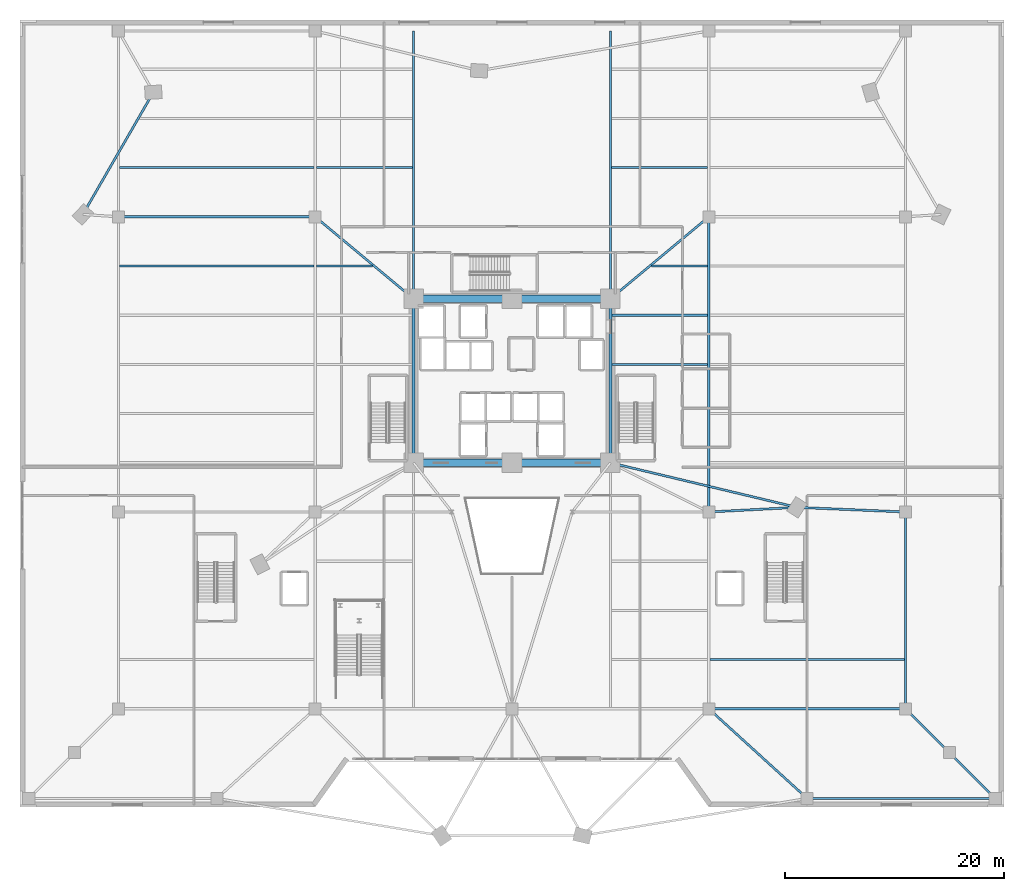
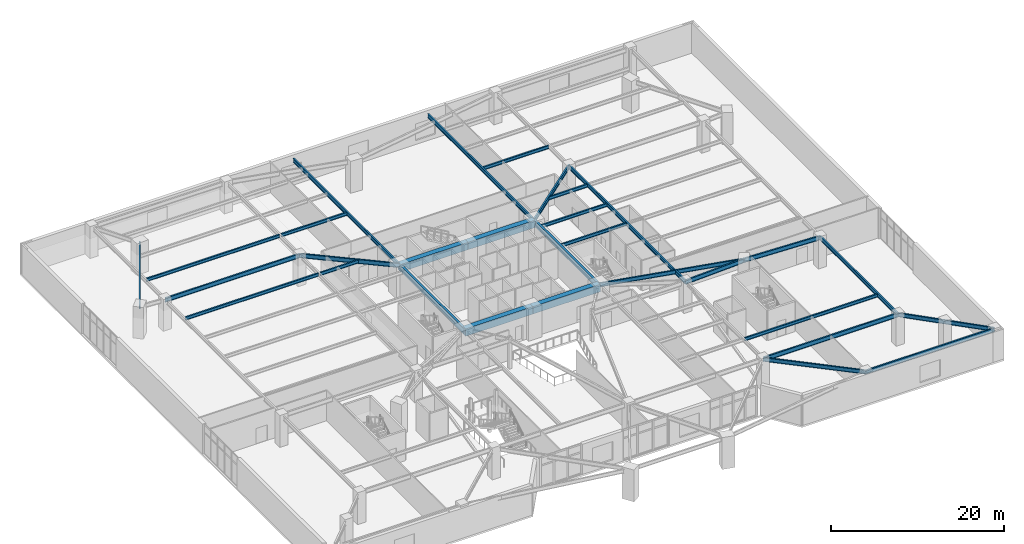
# One storey, part 15 of 29: 31 beams.
"""IFC4 building model written with IfcOpenShell, lengths in metres."""

from ifc_helpers import new_model, si_unit, direction, frame, origin, origin_2d, place, context, subcontext, project, spatial, rectangle, i_section, extrude, source, transform, mapped, material, material_profile, profile_set, type_object, element, save


model = new_model("IFC4")

# Units and contexts
model_context = context("Model", 3, precision=1e-05, world=origin(), true_north=direction((0.0, 1.0)))
body_context = subcontext(model_context, "Body", "Model", "MODEL_VIEW")
ifc_project = project(units=[si_unit("LENGTHUNIT", "METRE"), si_unit("AREAUNIT", "SQUARE_METRE"), si_unit("VOLUMEUNIT", "CUBIC_METRE"), si_unit("PLANEANGLEUNIT", "RADIAN"), si_unit("MASSUNIT", "GRAM", prefix="KILO")], contexts=[model_context])

# Site, building, storey
site_placement = place(None, origin())
site = spatial("IfcSite", under=ifc_project, at=site_placement, CompositionType="ELEMENT")
building_placement = place(site_placement, origin())
building = spatial("IfcBuilding", under=site, at=building_placement, Name="Liaohun Quay Tower", CompositionType="ELEMENT")
storey_placement = place(building_placement, frame((0.0, 0.0, 5.39990234375)))
storey = spatial("IfcBuildingStorey", under=building, at=storey_placement, Name="L02", CompositionType="ELEMENT", Elevation=5.39990234375)

# Beams
ifc_material_1 = material(Name="Concrete C60", Category="concrete")
ifc_material_profile_1 = material_profile(ifc_material_1, rectangle(XDim=0.699951171875, YDim=1.050048828125, at=origin_2d()), Name="RC700x1050")
ifc_profile_set_1 = profile_set([ifc_material_profile_1], Name="Concrete C60")
beam_type_1 = type_object("IfcBeamType", Name="BM-CPL-1", PredefinedType="LINTEL", material=ifc_profile_set_1)
shared_shape_1 = source(origin(), body_context, "Body", "SweptSolid", [
    extrude(rectangle(XDim=0.699951171875, YDim=1.050048828125, at=origin_2d()), origin(), (0.0, 0.0, 1.0), 9.0),
])
for number, where, z_axis, x_axis, name in (
    (1, (51.0, 46.5, 3.72509765625), (1.0, 0.0, 0.0), (0.0, 1.0, 0.0), "L02 Core Coupling/Ring Beam CC1-CC2"),
    (2, (60.0, 46.5, 3.72509765625), (1.0, 0.0, 0.0), (0.0, 1.0, 0.0), "L02 Core Coupling/Ring Beam CC2-CC3"),
    (3, (69.0, 61.5, 3.72509765625), (-1.0, 0.0, 0.0), (0.0, -1.0, 0.0), "L02 Core Coupling/Ring Beam CC4-CC5"),
    (4, (60.0, 61.5, 3.72509765625), (-1.0, 0.0, 0.0), (0.0, -1.0, 0.0), "L02 Core Coupling/Ring Beam CC5-CC6"),
):
    element("IfcBeam", number, at=place(storey_placement, frame(where, z_axis=z_axis, x_axis=x_axis)), inside=storey, type_object=beam_type_1, Name=name, PredefinedType="LINTEL", context=body_context, shape_type="MappedRepresentation", body=[
        mapped(shared_shape_1, transform((0.0, 0.0, 0.0), x_axis=(1.0, 0.0, 0.0), y_axis=(0.0, 1.0, 0.0), z_axis=(0.0, 0.0, 1.0), scale=1.0)),
    ])
ifc_material_2 = material(Name="Steel Q355D", Category="steel")
ifc_material_profile_2 = material_profile(ifc_material_2, i_section(OverallWidth=0.300048828125, OverallDepth=0.800048828125, WebThickness=0.013916015625, FlangeThickness=0.02587890625, at=origin_2d()), Name="HN800x300x14x26")
ifc_profile_set_2 = profile_set([ifc_material_profile_2], Name="Steel Q355D")
beam_type_2 = type_object("IfcBeamType", Name="BM-RAD-M1", PredefinedType="BEAM", material=ifc_profile_set_2)
shared_shape_2 = source(origin(), body_context, "Body", "SweptSolid", [
    extrude(i_section(OverallWidth=0.300048828125, OverallDepth=0.800048828125, WebThickness=0.013916015625, FlangeThickness=0.02587890625, at=origin_2d()), origin(), (0.0, 0.0, 1.0), 15.0),
])
for number, where, z_axis, x_axis, name in (
    (5, (69.0, 46.5, 3.85009765625), (0.0, 1.0, 0.0), (-1.0, 0.0, 0.0), "L02 Core Coupling/Ring Beam CC3-CC4"),
    (6, (51.0, 61.5, 3.85009765625), (0.0, -1.0, 0.0), (1.0, 0.0, 0.0), "L02 Core Coupling/Ring Beam CC6-CC1"),
):
    element("IfcBeam", number, at=place(storey_placement, frame(where, z_axis=z_axis, x_axis=x_axis)), inside=storey, type_object=beam_type_2, Name=name, PredefinedType="BEAM", context=body_context, shape_type="MappedRepresentation", body=[
        mapped(shared_shape_2, transform((0.0, 0.0, 0.0), x_axis=(1.0, 0.0, 0.0), y_axis=(0.0, 1.0, 0.0), z_axis=(0.0, 0.0, 1.0), scale=1.0)),
    ])
ifc_material_profile_3 = material_profile(ifc_material_2, i_section(OverallWidth=0.199951171875, OverallDepth=0.449951171875, WebThickness=0.009033203125, FlangeThickness=0.013916015625, at=origin_2d()), Name="HN450x200x9x14")
ifc_profile_set_3 = profile_set([ifc_material_profile_3], Name="Steel Q355D")
beam_type_3 = type_object("IfcBeamType", Name="BM-SEC-J1", PredefinedType="JOIST", material=ifc_profile_set_3)
shared_shape_3 = source(origin(), body_context, "Body", "SweptSolid", [
    extrude(i_section(OverallWidth=0.199951171875, OverallDepth=0.449951171875, WebThickness=0.009033203125, FlangeThickness=0.013916015625, at=origin_2d()), origin(), (0.0, 0.0, 1.0), 8.7998046875),
])
for number, where, z_axis, x_axis, name in (
    (7, (42.10009765625, 73.5, 4.025146484375), (1.0, 0.0, 0.0), (0.0, 1.0, 0.0), "L02 Composite Floor Joist SJ-20"),
    (8, (69.10009765625, 73.5, 4.025146484375), (1.0, 0.0, 0.0), (0.0, 1.0, 0.0), "L02 Composite Floor Joist SJ-31"),
):
    element("IfcBeam", number, at=place(storey_placement, frame(where, z_axis=z_axis, x_axis=x_axis)), inside=storey, type_object=beam_type_3, Name=name, PredefinedType="JOIST", context=body_context, shape_type="MappedRepresentation", body=[
        mapped(shared_shape_3, transform((0.0, 0.0, 0.0), x_axis=(1.0, 0.0, 0.0), y_axis=(0.0, 1.0, 0.0), z_axis=(0.0, 0.0, 1.0), scale=1.0)),
    ])
shared_shape_4 = source(origin(), body_context, "Body", "SweptSolid", [
    extrude(i_section(OverallWidth=0.199951171875, OverallDepth=0.449951171875, WebThickness=0.009033203125, FlangeThickness=0.013916015625, at=origin_2d()), origin(), (0.0, 0.0, 1.0), 17.7998046875),
])
for number, where, z_axis, x_axis, name in (
    (9, (24.10009765625, 64.5, 4.025146484375), (1.0, 0.0, 0.0), (0.0, 1.0, 0.0), "L02 Composite Floor Joist SJ-08"),
    (10, (24.10009765625, 73.5, 4.025146484375), (1.0, 0.0, 0.0), (0.0, 1.0, 0.0), "L02 Composite Floor Joist SJ-09"),
    (11, (78.10009765625, 28.5, 4.025146484375), (1.0, 0.0, 0.0), (0.0, 1.0, 0.0), "L02 Composite Floor Joist SJ-34"),
):
    element("IfcBeam", number, at=place(storey_placement, frame(where, z_axis=z_axis, x_axis=x_axis)), inside=storey, type_object=beam_type_3, Name=name, PredefinedType="JOIST", context=body_context, shape_type="MappedRepresentation", body=[
        mapped(shared_shape_4, transform((0.0, 0.0, 0.0), x_axis=(1.0, 0.0, 0.0), y_axis=(0.0, 1.0, 0.0), z_axis=(0.0, 0.0, 1.0), scale=1.0)),
    ])
shared_shape_5 = source(origin(), body_context, "Body", "SweptSolid", [
    extrude(i_section(OverallWidth=0.199951171875, OverallDepth=0.449951171875, WebThickness=0.009033203125, FlangeThickness=0.013916015625, at=origin_2d()), origin(), (0.0, 0.0, 1.0), 8.75),
])
for number, where, z_axis, x_axis, name in (
    (12, (69.14990234375, 55.5, 4.025146484375), (1.0, 0.0, 0.0), (0.0, 1.0, 0.0), "L02 Composite Floor Joist SJ-28"),
    (13, (69.14990234375, 60.0, 4.025146484375), (1.0, 0.0, 0.0), (0.0, 1.0, 0.0), "L02 Composite Floor Joist SJ-29"),
):
    element("IfcBeam", number, at=place(storey_placement, frame(where, z_axis=z_axis, x_axis=x_axis)), inside=storey, type_object=beam_type_3, Name=name, PredefinedType="JOIST", context=body_context, shape_type="MappedRepresentation", body=[
        mapped(shared_shape_5, transform((0.0, 0.0, 0.0), x_axis=(1.0, 0.0, 0.0), y_axis=(0.0, 1.0, 0.0), z_axis=(0.0, 0.0, 1.0), scale=1.0)),
    ])
ifc_material_profile_4 = material_profile(ifc_material_2, i_section(OverallWidth=0.199951171875, OverallDepth=0.60009765625, WebThickness=0.010986328125, FlangeThickness=0.01708984375, at=origin_2d()), Name="HN600x200x11x17")
ifc_profile_set_4 = profile_set([ifc_material_profile_4], Name="Steel Q355D")
beam_type_4 = type_object("IfcBeamType", Name="BM-POD-G1", PredefinedType="BEAM", material=ifc_profile_set_4)
shared_shape_6 = source(origin(), body_context, "Body", "SweptSolid", [
    extrude(i_section(OverallWidth=0.199951171875, OverallDepth=0.60009765625, WebThickness=0.010986328125, FlangeThickness=0.01708984375, at=origin_2d()), origin(), (0.0, 0.0, 1.0), 18.0),
])
for number, where, z_axis, x_axis, name in (
    (14, (78.0, 24.0, 3.9501953125), (1.0, 0.0, 0.0), (0.0, 1.0, 0.0), "L02 Primary Grid Girder PG04-PG05"),
    (15, (24.0, 69.0, 3.9501953125), (1.0, 0.0, 0.0), (0.0, 1.0, 0.0), "L02 Primary Grid Girder PG10-PG11"),
):
    element("IfcBeam", number, at=place(storey_placement, frame(where, z_axis=z_axis, x_axis=x_axis)), inside=storey, type_object=beam_type_4, Name=name, PredefinedType="BEAM", context=body_context, shape_type="MappedRepresentation", body=[
        mapped(shared_shape_6, transform((0.0, 0.0, 0.0), x_axis=(1.0, 0.0, 0.0), y_axis=(0.0, 1.0, 0.0), z_axis=(0.0, 0.0, 1.0), scale=1.0)),
    ])
shared_shape_7 = source(origin(), body_context, "Body", "SweptSolid", [
    extrude(i_section(OverallWidth=0.199951171875, OverallDepth=0.60009765625, WebThickness=0.010986328125, FlangeThickness=0.01708984375, at=origin_2d()), origin(), (0.0, 0.0, 1.0), 8.074951171875),
])
beam_1_placement = place(storey_placement, frame((78.0, 42.0, 3.9501953125), z_axis=(0.998626418426, 0.052395385502, 0.0), x_axis=(-0.052395385502, 0.998626418426, 0.0)))
element("IfcBeam", 16, at=beam_1_placement, inside=storey, type_object=beam_type_4, Name="L02 Primary Grid Girder PG08-PC10", PredefinedType="BEAM", context=body_context, shape_type="MappedRepresentation", body=[
    mapped(shared_shape_7, transform((0.0, 0.0, 0.0), x_axis=(1.0, 0.0, 0.0), y_axis=(0.0, 1.0, 0.0), z_axis=(0.0, 0.0, 1.0), scale=1.0)),
])
shared_shape_8 = source(origin(), body_context, "Body", "SweptSolid", [
    extrude(i_section(OverallWidth=0.199951171875, OverallDepth=0.60009765625, WebThickness=0.010986328125, FlangeThickness=0.01708984375, at=origin_2d()), origin(), (0.0, 0.0, 1.0), 9.945068359375),
])
beam_2_placement = place(storey_placement, frame((86.06396484375, 42.423095703125, 3.9501953125), z_axis=(0.999094620033, -0.042543392219, 0.0), x_axis=(0.042543392219, 0.999094620033, 0.0)))
element("IfcBeam", 17, at=beam_2_placement, inside=storey, type_object=beam_type_4, Name="L02 Primary Grid Girder PC10-PG09", PredefinedType="BEAM", context=body_context, shape_type="MappedRepresentation", body=[
    mapped(shared_shape_8, transform((0.0, 0.0, 0.0), x_axis=(1.0, 0.0, 0.0), y_axis=(0.0, 1.0, 0.0), z_axis=(0.0, 0.0, 1.0), scale=1.0)),
])
shared_shape_9 = source(origin(), body_context, "Body", "SweptSolid", [
    extrude(i_section(OverallWidth=0.199951171875, OverallDepth=0.60009765625, WebThickness=0.010986328125, FlangeThickness=0.01708984375, at=origin_2d()), origin(), (0.0, 0.0, 1.0), 11.71533203125),
])
for number, where, z_axis, x_axis, name in (
    (18, (42.0, 69.0, 3.9501953125), (0.768221279597, -0.640184399664, 0.0), (0.640184399664, 0.768221279597, 0.0), "L02 Primary Grid Girder PG11-CC6"),
    (19, (69.0, 61.5, 3.9501953125), (0.768221279597, 0.640184399664, 0.0), (-0.640184399664, 0.768221279597, 0.0), "L02 Primary Grid Girder CC4-PG12"),
):
    element("IfcBeam", number, at=place(storey_placement, frame(where, z_axis=z_axis, x_axis=x_axis)), inside=storey, type_object=beam_type_4, Name=name, PredefinedType="BEAM", context=body_context, shape_type="MappedRepresentation", body=[
        mapped(shared_shape_9, transform((0.0, 0.0, 0.0), x_axis=(1.0, 0.0, 0.0), y_axis=(0.0, 1.0, 0.0), z_axis=(0.0, 0.0, 1.0), scale=1.0)),
    ])
ifc_material_profile_5 = material_profile(ifc_material_2, i_section(OverallWidth=0.199951171875, OverallDepth=0.550048828125, WebThickness=0.010009765625, FlangeThickness=0.01611328125, at=origin_2d()), Name="HN550x200x10x16")
ifc_profile_set_5 = profile_set([ifc_material_profile_5], Name="Steel Q355D")
beam_type_5 = type_object("IfcBeamType", Name="BM-POD-G2", PredefinedType="BEAM", material=ifc_profile_set_5)
shared_shape_10 = source(origin(), body_context, "Body", "SweptSolid", [
    extrude(i_section(OverallWidth=0.199951171875, OverallDepth=0.550048828125, WebThickness=0.010009765625, FlangeThickness=0.01611328125, at=origin_2d()), origin(), (0.0, 0.0, 1.0), 27.0),
])
beam_3_placement = place(storey_placement, frame((78.0, 42.0, 3.97509765625), z_axis=(0.0, 1.0, 0.0), x_axis=(-1.0, 0.0, 0.0)))
element("IfcBeam", 20, at=beam_3_placement, inside=storey, type_object=beam_type_5, Name="L02 Primary Grid Girder PG08-PG12", PredefinedType="BEAM", context=body_context, shape_type="MappedRepresentation", body=[
    mapped(shared_shape_10, transform((0.0, 0.0, 0.0), x_axis=(1.0, 0.0, 0.0), y_axis=(0.0, 1.0, 0.0), z_axis=(0.0, 0.0, 1.0), scale=1.0)),
])
shared_shape_11 = source(origin(), body_context, "Body", "SweptSolid", [
    extrude(i_section(OverallWidth=0.199951171875, OverallDepth=0.550048828125, WebThickness=0.010009765625, FlangeThickness=0.01611328125, at=origin_2d()), origin(), (0.0, 0.0, 1.0), 18.0),
])
beam_4_placement = place(storey_placement, frame((96.0, 24.0, 3.97509765625), z_axis=(0.0, 1.0, 0.0), x_axis=(-1.0, 0.0, 0.0)))
element("IfcBeam", 21, at=beam_4_placement, inside=storey, type_object=beam_type_5, Name="L02 Primary Grid Girder PG05-PG09", PredefinedType="BEAM", context=body_context, shape_type="MappedRepresentation", body=[
    mapped(shared_shape_11, transform((0.0, 0.0, 0.0), x_axis=(1.0, 0.0, 0.0), y_axis=(0.0, 1.0, 0.0), z_axis=(0.0, 0.0, 1.0), scale=1.0)),
])
shared_shape_12 = source(origin(), body_context, "Body", "SweptSolid", [
    extrude(i_section(OverallWidth=0.199951171875, OverallDepth=0.550048828125, WebThickness=0.010009765625, FlangeThickness=0.01611328125, at=origin_2d()), origin(), (0.0, 0.0, 1.0), 17.544189453125),
])
beam_5_placement = place(storey_placement, frame((86.06396484375, 42.423095703125, 3.97509765625), z_axis=(-0.972625403076, 0.23237862486, 0.0), x_axis=(-0.23237862486, -0.972625403076, 0.0)))
element("IfcBeam", 22, at=beam_5_placement, inside=storey, type_object=beam_type_5, Name="L02 Primary Grid Girder PC10-CC3", PredefinedType="BEAM", context=body_context, shape_type="MappedRepresentation", body=[
    mapped(shared_shape_12, transform((0.0, 0.0, 0.0), x_axis=(1.0, 0.0, 0.0), y_axis=(0.0, 1.0, 0.0), z_axis=(0.0, 0.0, 1.0), scale=1.0)),
])
shared_shape_13 = source(origin(), body_context, "Body", "SweptSolid", [
    extrude(i_section(OverallWidth=0.199951171875, OverallDepth=0.550048828125, WebThickness=0.010009765625, FlangeThickness=0.01611328125, at=origin_2d()), origin(), (0.0, 0.0, 1.0), 12.902587890625),
])
beam_6_placement = place(storey_placement, frame((20.748046875, 69.217041015625, 3.97509765625), z_axis=(0.49997524318, 0.866039696669, 0.0), x_axis=(-0.866039696669, 0.49997524318, 0.0)))
element("IfcBeam", 23, at=beam_6_placement, inside=storey, type_object=beam_type_5, Name="L02 Primary Grid Girder PC03-PC05", PredefinedType="BEAM", context=body_context, shape_type="MappedRepresentation", body=[
    mapped(shared_shape_13, transform((0.0, 0.0, 0.0), x_axis=(1.0, 0.0, 0.0), y_axis=(0.0, 1.0, 0.0), z_axis=(0.0, 0.0, 1.0), scale=1.0)),
])
shared_shape_14 = source(origin(), body_context, "Body", "SweptSolid", [
    extrude(i_section(OverallWidth=0.199951171875, OverallDepth=0.550048828125, WebThickness=0.010009765625, FlangeThickness=0.01611328125, at=origin_2d()), origin(), (0.0, 0.0, 1.0), 17.199951171875),
])
beam_7_placement = place(storey_placement, frame((87.0, 15.800048828125, 3.97509765625), z_axis=(1.0, 0.0, 0.0), x_axis=(0.0, 1.0, 0.0)))
element("IfcBeam", 24, at=beam_7_placement, inside=storey, type_object=beam_type_5, Name="L02 Perimeter Tie Girder PT03-PT04", PredefinedType="BEAM", context=body_context, shape_type="MappedRepresentation", body=[
    mapped(shared_shape_14, transform((0.0, 0.0, 0.0), x_axis=(1.0, 0.0, 0.0), y_axis=(0.0, 1.0, 0.0), z_axis=(0.0, 0.0, 1.0), scale=1.0)),
])
shared_shape_15 = source(origin(), body_context, "Body", "SweptSolid", [
    extrude(i_section(OverallWidth=0.199951171875, OverallDepth=0.550048828125, WebThickness=0.010009765625, FlangeThickness=0.01611328125, at=origin_2d()), origin(), (0.0, 0.0, 1.0), 5.939697265625),
])
beam_8_placement = place(storey_placement, frame((104.199951171875, 15.800048828125, 3.97509765625), z_axis=(-0.707106781187, 0.707106781187, 0.0), x_axis=(-0.707106781187, -0.707106781187, 0.0)))
element("IfcBeam", 25, at=beam_8_placement, inside=storey, type_object=beam_type_5, Name="L02 Perimeter Tie Girder PT04-PT06", PredefinedType="BEAM", context=body_context, shape_type="MappedRepresentation", body=[
    mapped(shared_shape_15, transform((0.0, 0.0, 0.0), x_axis=(1.0, 0.0, 0.0), y_axis=(0.0, 1.0, 0.0), z_axis=(0.0, 0.0, 1.0), scale=1.0)),
])
shared_shape_16 = source(origin(), body_context, "Body", "SweptSolid", [
    extrude(i_section(OverallWidth=0.199951171875, OverallDepth=0.550048828125, WebThickness=0.010009765625, FlangeThickness=0.01611328125, at=origin_2d()), origin(), (0.0, 0.0, 1.0), 12.17529296875),
])
beam_9_placement = place(storey_placement, frame((87.0, 15.800048828125, 3.97509765625), z_axis=(-0.739198333818, 0.673487804849, 0.0), x_axis=(-0.673487804849, -0.739198333818, 0.0)))
element("IfcBeam", 26, at=beam_9_placement, inside=storey, type_object=beam_type_5, Name="L02 Perimeter Tie Girder PT03-PG04", PredefinedType="BEAM", context=body_context, shape_type="MappedRepresentation", body=[
    mapped(shared_shape_16, transform((0.0, 0.0, 0.0), x_axis=(1.0, 0.0, 0.0), y_axis=(0.0, 1.0, 0.0), z_axis=(0.0, 0.0, 1.0), scale=1.0)),
])
shared_shape_17 = source(origin(), body_context, "Body", "SweptSolid", [
    extrude(i_section(OverallWidth=0.199951171875, OverallDepth=0.550048828125, WebThickness=0.010009765625, FlangeThickness=0.01611328125, at=origin_2d()), origin(), (0.0, 0.0, 1.0), 5.65673828125),
])
beam_10_placement = place(storey_placement, frame((100.0, 20.0, 3.97509765625), z_axis=(-0.707106781187, 0.707106781187, 0.0), x_axis=(-0.707106781187, -0.707106781187, 0.0)))
element("IfcBeam", 27, at=beam_10_placement, inside=storey, type_object=beam_type_5, Name="L02 Perimeter Tie Girder PT06-PG05", PredefinedType="BEAM", context=body_context, shape_type="MappedRepresentation", body=[
    mapped(shared_shape_17, transform((0.0, 0.0, 0.0), x_axis=(1.0, 0.0, 0.0), y_axis=(0.0, 1.0, 0.0), z_axis=(0.0, 0.0, 1.0), scale=1.0)),
])
shared_shape_18 = source(origin(), body_context, "Body", "SweptSolid", [
    extrude(i_section(OverallWidth=0.199951171875, OverallDepth=0.550048828125, WebThickness=0.010009765625, FlangeThickness=0.01611328125, at=origin_2d()), origin(), (0.0, 0.0, 1.0), 24.5),
])
for number, where, z_axis, x_axis, name in (
    (28, (51.0, 61.5, 3.97509765625), (0.0, 1.0, 0.0), (-1.0, 0.0, 0.0), "L02 Spine Girder X51-N"),
    (29, (69.0, 61.5, 3.97509765625), (0.0, 1.0, 0.0), (-1.0, 0.0, 0.0), "L02 Spine Girder X69-N"),
):
    element("IfcBeam", number, at=place(storey_placement, frame(where, z_axis=z_axis, x_axis=x_axis)), inside=storey, type_object=beam_type_5, Name=name, PredefinedType="BEAM", context=body_context, shape_type="MappedRepresentation", body=[
        mapped(shared_shape_18, transform((0.0, 0.0, 0.0), x_axis=(1.0, 0.0, 0.0), y_axis=(0.0, 1.0, 0.0), z_axis=(0.0, 0.0, 1.0), scale=1.0)),
    ])
shared_shape_19 = source(origin(), body_context, "Body", "SweptSolid", [
    extrude(i_section(OverallWidth=0.199951171875, OverallDepth=0.449951171875, WebThickness=0.009033203125, FlangeThickness=0.013916015625, at=origin_2d()), origin(), (0.0, 0.0, 1.0), 5.143798828125),
])
for number, where, z_axis, x_axis, name in (
    (30, (42.10009765625, 64.5, 4.025146484375), (1.0, 0.0, 0.0), (0.0, 1.0, 0.0), "L02 Composite Floor Joist SJ-19"),
    (31, (72.756103515625, 64.5, 4.025146484375), (1.0, 0.0, 0.0), (0.0, 1.0, 0.0), "L02 Composite Floor Joist SJ-30"),
):
    element("IfcBeam", number, at=place(storey_placement, frame(where, z_axis=z_axis, x_axis=x_axis)), inside=storey, type_object=beam_type_3, Name=name, PredefinedType="JOIST", context=body_context, shape_type="MappedRepresentation", body=[
        mapped(shared_shape_19, transform((0.0, 0.0, 0.0), x_axis=(1.0, 0.0, 0.0), y_axis=(0.0, 1.0, 0.0), z_axis=(0.0, 0.0, 1.0), scale=1.0)),
    ])

save(model, "model.ifc")
